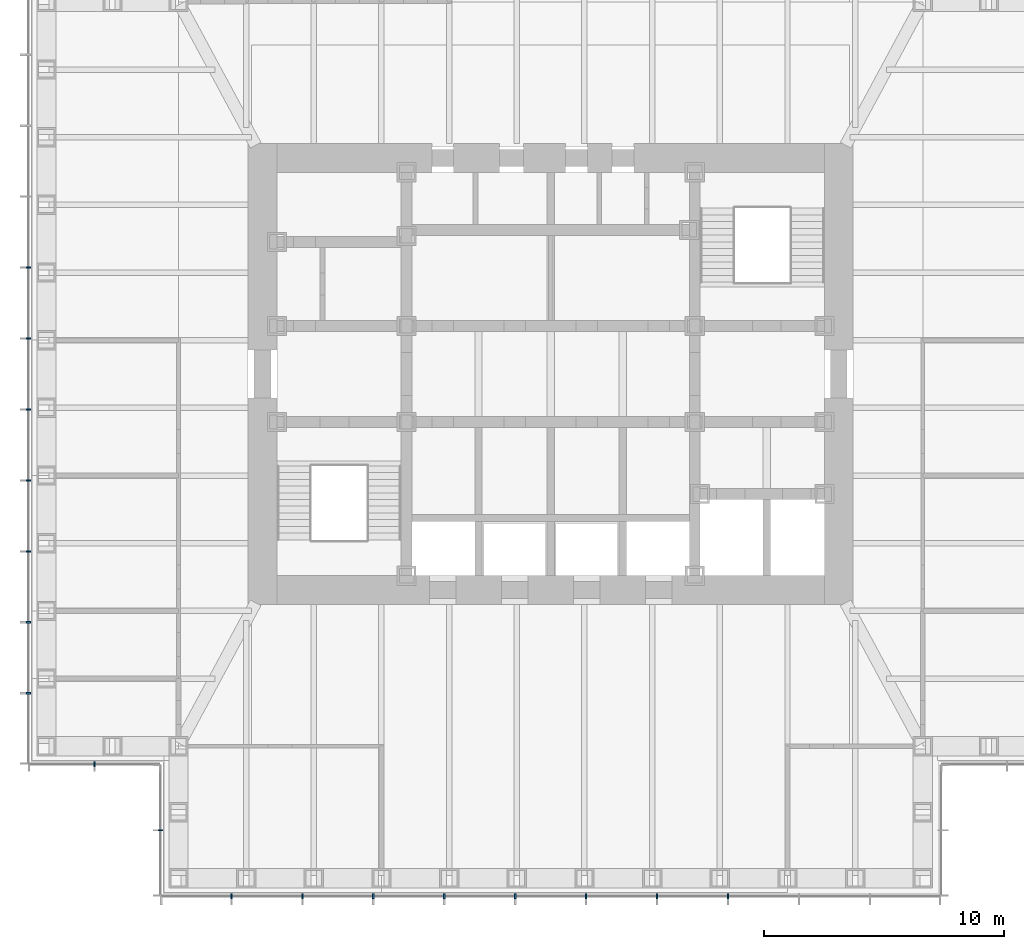
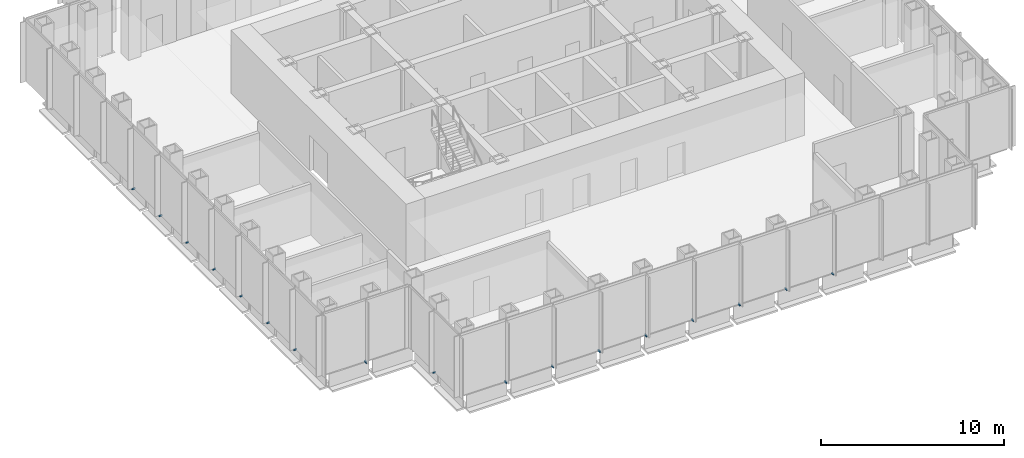
# One storey, part 11 of 16: 17 discrete accessories.
"""IFC4 building model written with IfcOpenShell, lengths in metres."""

from ifc_helpers import new_model, si_unit, direction, frame, origin, origin_2d, place, context, subcontext, project, spatial, rectangle, extrude, element, save


model = new_model("IFC4")

# Units and contexts
model_context = context("Model", 3, precision=1e-05, world=origin(), true_north=direction((0.0, 1.0)))
body_context = subcontext(model_context, "Body", "Model", "MODEL_VIEW")
ifc_project = project(units=[si_unit("LENGTHUNIT", "METRE"), si_unit("AREAUNIT", "SQUARE_METRE"), si_unit("VOLUMEUNIT", "CUBIC_METRE"), si_unit("PLANEANGLEUNIT", "RADIAN"), si_unit("MASSUNIT", "GRAM", prefix="KILO")], contexts=[model_context])

# Site, building, storey
site_placement = place(None, origin())
site = spatial("IfcSite", under=ifc_project, at=site_placement, CompositionType="ELEMENT")
building_placement = place(site_placement, origin())
building = spatial("IfcBuilding", under=site, at=building_placement, Name="Daluyong Arena Tower", CompositionType="ELEMENT")
storey_placement = place(building_placement, frame((0.0, 0.0, 235.89990234375)))
storey = spatial("IfcBuildingStorey", under=building, at=storey_placement, Name="L53", CompositionType="ELEMENT", Elevation=235.89990234375)

# Discrete accessories
for number, where, z_axis, x_axis, name in (
    (1, (42.70458984375, 58.25, -0.099853515625), (0.0, 0.0, 1.0), (1.0, 0.0, 0.0), "curtain wall L53 S anchor bracket 2"),
    (2, (45.6591796875, 58.25, -0.099853515625), (0.0, 0.0, 1.0), (1.0, 0.0, 0.0), "curtain wall L53 S anchor bracket 3"),
    (3, (48.613525390625, 58.25, -0.099853515625), (0.0, 0.0, 1.0), (1.0, 0.0, 0.0), "curtain wall L53 S anchor bracket 4"),
    (4, (51.568115234375, 58.25, -0.099853515625), (0.0, 0.0, 1.0), (1.0, 0.0, 0.0), "curtain wall L53 S anchor bracket 5"),
    (5, (54.522705078125, 58.25, -0.099853515625), (0.0, 0.0, 1.0), (1.0, 0.0, 0.0), "curtain wall L53 S anchor bracket 6"),
    (6, (57.477294921875, 58.25, -0.099853515625), (0.0, 0.0, 1.0), (1.0, 0.0, 0.0), "curtain wall L53 S anchor bracket 7"),
    (7, (60.431884765625, 58.25, -0.099853515625), (0.0, 0.0, 1.0), (1.0, 0.0, 0.0), "curtain wall L53 S anchor bracket 8"),
    (8, (63.386474609375, 58.25, -0.099853515625), (0.0, 0.0, 1.0), (1.0, 0.0, 0.0), "curtain wall L53 S anchor bracket 9"),
    (9, (34.25, 84.431884765625, -0.099853515625), (0.0, 0.0, 1.0), (0.0, -1.0, 0.0), "curtain wall L53 W anchor bracket 5"),
    (10, (34.25, 81.477294921875, -0.099853515625), (0.0, 0.0, 1.0), (0.0, -1.0, 0.0), "curtain wall L53 W anchor bracket 6"),
    (11, (34.25, 78.522705078125, -0.099853515625), (0.0, 0.0, 1.0), (0.0, -1.0, 0.0), "curtain wall L53 W anchor bracket 7"),
    (12, (34.25, 75.568115234375, -0.099853515625), (0.0, 0.0, 1.0), (0.0, -1.0, 0.0), "curtain wall L53 W anchor bracket 8"),
    (13, (34.25, 72.613525390625, -0.099853515625), (0.0, 0.0, 1.0), (0.0, -1.0, 0.0), "curtain wall L53 W anchor bracket 9"),
    (14, (34.25, 69.6591796875, -0.099853515625), (0.0, 0.0, 1.0), (0.0, -1.0, 0.0), "curtain wall L53 W anchor bracket 10"),
    (15, (34.25, 66.70458984375, -0.099853515625), (0.0, 0.0, 1.0), (0.0, -1.0, 0.0), "curtain wall L53 W anchor bracket 11"),
):
    element("IfcDiscreteAccessory", number, at=place(storey_placement, frame(where, z_axis=z_axis, x_axis=x_axis)), inside=storey, Name=name, PredefinedType="BRACKET", context=body_context, shape_type="SweptSolid", body=[
        extrude(rectangle(XDim=0.070068359375, YDim=0.199951171875, at=origin_2d()), origin(), (0.0, 0.0, 1.0), 0.10009765625),
    ])
for number, where, z_axis, x_axis, name in (
    (16, (37.0, 63.75, -0.099853515625), (0.0, 0.0, 1.0), (1.0, 0.0, 0.0), "curtain wall L53 SW-S anchor bracket 2"),
    (17, (39.75, 61.0, -0.099853515625), (0.0, 0.0, 1.0), (0.0, -1.0, 0.0), "curtain wall L53 SW-W anchor bracket 2"),
):
    element("IfcDiscreteAccessory", number, at=place(storey_placement, frame(where, z_axis=z_axis, x_axis=x_axis)), inside=storey, Name=name, PredefinedType="BRACKET", context=body_context, shape_type="SweptSolid", body=[
        extrude(rectangle(XDim=0.06005859375, YDim=0.199951171875, at=origin_2d()), origin(), (0.0, 0.0, 1.0), 0.10009765625),
    ])

save(model, "model.ifc")
